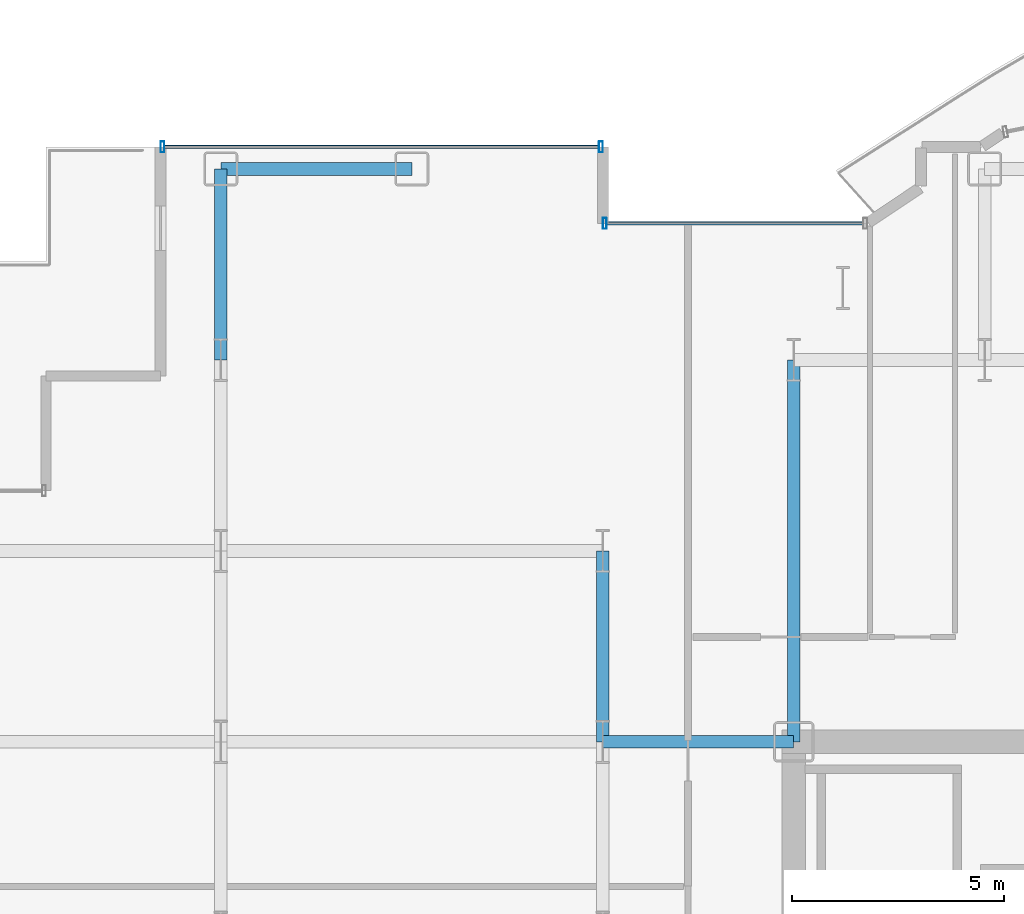
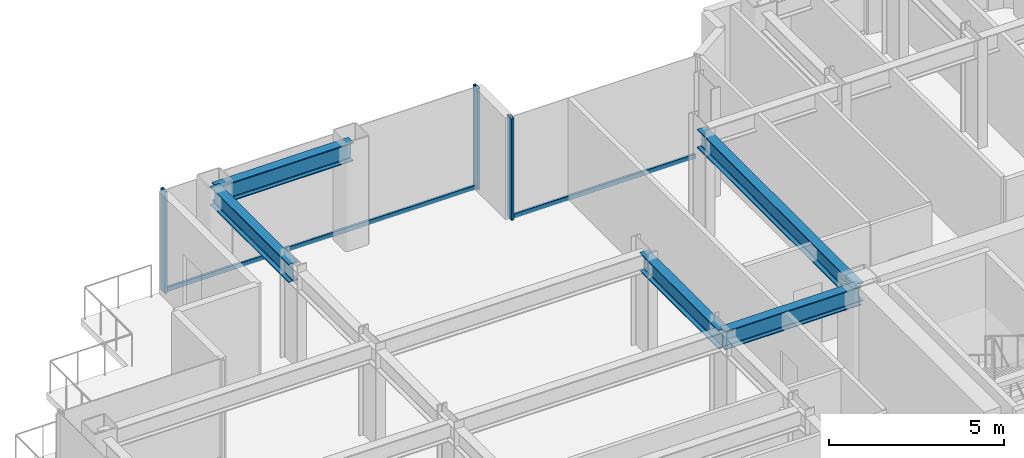
# One storey, part 12 of 29: 5 beams, 5 members, 2 elements without a shape of their own.
"""IFC4 building model written with IfcOpenShell, lengths in metres."""

from ifc_helpers import new_model, si_unit, direction, frame, origin, origin_2d, place, context, subcontext, project, spatial, hollow_rectangle, i_section, extrude, source, transform, mapped, material, layer, layer_set, material_profile, profile_set, type_object, element, aggregate, save


model = new_model("IFC4")

# Units and contexts
model_context = context("Model", 3, precision=1e-05, world=origin(), true_north=direction((0.0, 1.0)))
body_context = subcontext(model_context, "Body", "Model", "MODEL_VIEW")
ifc_project = project(units=[si_unit("LENGTHUNIT", "METRE"), si_unit("AREAUNIT", "SQUARE_METRE"), si_unit("VOLUMEUNIT", "CUBIC_METRE"), si_unit("PLANEANGLEUNIT", "RADIAN"), si_unit("MASSUNIT", "GRAM", prefix="KILO")], contexts=[model_context])

# Site, building, storey
site_placement = place(None, origin())
site = spatial("IfcSite", under=ifc_project, at=site_placement, CompositionType="ELEMENT")
building_placement = place(site_placement, origin())
building = spatial("IfcBuilding", under=site, at=building_placement, Name="Nefas-Gora Pilgrimage Tower", CompositionType="ELEMENT")
storey_placement = place(building_placement, frame((0.0, 0.0, 125.0)))
storey = spatial("IfcBuildingStorey", under=building, at=storey_placement, Name="L30", CompositionType="ELEMENT", Elevation=125.0)

# Beams
ifc_material_1 = material(Name="Steel S355", Category="steel")
ifc_material_profile_1 = material_profile(ifc_material_1, i_section(OverallWidth=0.300048828125, OverallDepth=0.64990234375, WebThickness=0.01611328125, FlangeThickness=0.031005859375, FilletRadius=0.027099609375, at=origin_2d()), Name="HEB 650")
ifc_profile_set_1 = profile_set([ifc_material_profile_1], Name="Steel S355")
beam_type_1 = type_object("IfcBeamType", Name="BM-SPN-HEB500", PredefinedType="SPANDREL", material=ifc_profile_set_1)
shared_shape_1 = source(origin(), body_context, "Body", "SweptSolid", [
    extrude(i_section(OverallWidth=0.300048828125, OverallDepth=0.64990234375, WebThickness=0.01611328125, FlangeThickness=0.031005859375, FilletRadius=0.027099609375, at=origin_2d()), origin(), (0.0, 0.0, 1.0), 4.5),
])
beam_1_placement = place(storey_placement, frame((-24.75, 22.5, 3.22509765625), z_axis=(1.0, 0.0, 0.0), x_axis=(0.0, 1.0, 0.0)))
element("IfcBeam", 1, at=beam_1_placement, inside=storey, type_object=beam_type_1, Name="L30 SP-02 beam", PredefinedType="SPANDREL", context=body_context, shape_type="MappedRepresentation", body=[
    mapped(shared_shape_1, transform((0.0, 0.0, 0.0), x_axis=(1.0, 0.0, 0.0), y_axis=(0.0, 1.0, 0.0), z_axis=(0.0, 0.0, 1.0), scale=1.0)),
])
ifc_material_profile_2 = material_profile(ifc_material_1, i_section(OverallWidth=0.300048828125, OverallDepth=0.64990234375, WebThickness=0.01611328125, FlangeThickness=0.031005859375, FilletRadius=0.027099609375, at=origin_2d()), Name="HEB 650")
ifc_profile_set_2 = profile_set([ifc_material_profile_2], Name="Steel S355")
beam_type_2 = type_object("IfcBeamType", Name="BM-GIR-HEB650", PredefinedType="BEAM", material=ifc_profile_set_2)
shared_shape_2 = source(origin(), body_context, "Body", "SweptSolid", [
    extrude(i_section(OverallWidth=0.300048828125, OverallDepth=0.64990234375, WebThickness=0.01611328125, FlangeThickness=0.031005859375, FilletRadius=0.027099609375, at=origin_2d()), origin(), (0.0, 0.0, 1.0), 9.0),
])
beam_2_placement = place(storey_placement, frame((-11.25, 9.0, 3.22509765625), z_axis=(0.0, 1.0, 0.0), x_axis=(-1.0, 0.0, 0.0)))
element("IfcBeam", 2, at=beam_2_placement, inside=storey, type_object=beam_type_2, Name="L30 G-03 beam", PredefinedType="BEAM", context=body_context, shape_type="MappedRepresentation", body=[
    mapped(shared_shape_2, transform((0.0, 0.0, 0.0), x_axis=(1.0, 0.0, 0.0), y_axis=(0.0, 1.0, 0.0), z_axis=(0.0, 0.0, 1.0), scale=1.0)),
])
shared_shape_3 = source(origin(), body_context, "Body", "SweptSolid", [
    extrude(i_section(OverallWidth=0.300048828125, OverallDepth=0.64990234375, WebThickness=0.01611328125, FlangeThickness=0.031005859375, FilletRadius=0.027099609375, at=origin_2d()), origin(), (0.0, 0.0, 1.0), 4.5),
])
for number, where, z_axis, x_axis, name in (
    (3, (-24.75, 18.0, 3.22509765625), (0.0, 1.0, 0.0), (-1.0, 0.0, 0.0), "L30 G-03 beam"),
    (4, (-15.75, 9.0, 3.22509765625), (0.0, 1.0, 0.0), (-1.0, 0.0, 0.0), "L30 G-03 beam"),
    (5, (-15.75, 9.0, 3.22509765625), (1.0, 0.0, 0.0), (0.0, 1.0, 0.0), "L30 G-03 beam"),
):
    element("IfcBeam", number, at=place(storey_placement, frame(where, z_axis=z_axis, x_axis=x_axis)), inside=storey, type_object=beam_type_2, Name=name, PredefinedType="BEAM", context=body_context, shape_type="MappedRepresentation", body=[
        mapped(shared_shape_3, transform((0.0, 0.0, 0.0), x_axis=(1.0, 0.0, 0.0), y_axis=(0.0, 1.0, 0.0), z_axis=(0.0, 0.0, 1.0), scale=1.0)),
    ])

# Curtain wall, members
ifc_material_2 = material(Name="Dark ceramic-fritted solar-control aluminium-glass curtain wall", Category="aluminium")
ifc_layer_1 = layer(ifc_material_2, 0.219970703125)
ifc_layer_set_1 = layer_set([ifc_layer_1], Name="Dark ceramic-fritted solar-control aluminium-glass curtain wall")
curtain_wall_type_1 = type_object("IfcCurtainWallType", Name="CW-SYS-5", PredefinedType="NOTDEFINED", material=ifc_layer_set_1)
curtain_wall_1_placement = place(storey_placement, origin())
curtain_wall_1 = element("IfcCurtainWall", 6, at=curtain_wall_1_placement, inside=storey, type_object=curtain_wall_type_1, Name="L30 Unitised Curtain Wall CW5", PredefinedType="NOTDEFINED")
ifc_material_3 = material(Name="Anodised architectural aluminium", Category="aluminium")
ifc_material_profile_3 = material_profile(ifc_material_3, hollow_rectangle(XDim=0.090087890625, YDim=0.260009765625, WallThickness=0.006103515625, InnerFilletRadius=0.006103515625, OuterFilletRadius=0.011962890625, at=origin_2d()), Name="ALU MULLION 90x260")
ifc_profile_set_3 = profile_set([ifc_material_profile_3], Name="Anodised architectural aluminium")
member_type_1 = type_object("IfcMemberType", Name="CWM-MUL-5", PredefinedType="MULLION", material=ifc_profile_set_3)
shared_shape_4 = source(origin(), body_context, "Body", "SweptSolid", [
    extrude(hollow_rectangle(XDim=0.090087890625, YDim=0.260009765625, WallThickness=0.006103515625, InnerFilletRadius=0.006103515625, OuterFilletRadius=0.011962890625, at=origin_2d()), origin(), (0.0, 0.0, 1.0), 3.550048828125),
])
member_1_placement = place(storey_placement, frame((-15.705078125, 21.219970703125, 0.0), z_axis=(0.0, 0.0, 1.0), x_axis=(-1.0, 0.0, 0.0)))
member_1 = element("IfcMember", 7, at=member_1_placement, type_object=member_type_1, Name="CW5 Mullion 2", PredefinedType="MULLION", context=body_context, shape_type="MappedRepresentation", body=[
    mapped(shared_shape_4, transform((0.0, 0.0, 0.0), x_axis=(1.0, 0.0, 0.0), y_axis=(0.0, 1.0, 0.0), z_axis=(0.0, 0.0, 1.0), scale=1.0)),
])
ifc_material_profile_4 = material_profile(ifc_material_3, hollow_rectangle(XDim=0.080078125, YDim=0.159912109375, WallThickness=0.00439453125, InnerFilletRadius=0.00439453125, OuterFilletRadius=0.009033203125, at=origin_2d()), Name="ALU TRANSOM 80x160")
ifc_profile_set_4 = profile_set([ifc_material_profile_4], Name="Anodised architectural aluminium")
member_type_2 = type_object("IfcMemberType", Name="CWM-TRN-5", PredefinedType="USERDEFINED", material=ifc_profile_set_4)
shared_shape_5 = source(origin(), body_context, "Body", "SweptSolid", [
    extrude(hollow_rectangle(XDim=0.080078125, YDim=0.159912109375, WallThickness=0.00439453125, InnerFilletRadius=0.00439453125, OuterFilletRadius=0.009033203125, at=origin_2d()), origin(), (0.0, 0.0, 1.0), 6.052001953125),
])
member_2_placement = place(storey_placement, frame((-9.60791015625, 21.219970703125, 0.050048828125), z_axis=(-1.0, 0.0, 0.0), x_axis=(0.0, -1.0, 0.0)))
member_2 = element("IfcMember", 8, at=member_2_placement, type_object=member_type_2, Name="CW5 Spandrel Transom", ObjectType="TRANSOM", PredefinedType="USERDEFINED", context=body_context, shape_type="MappedRepresentation", body=[
    mapped(shared_shape_5, transform((0.0, 0.0, 0.0), x_axis=(1.0, 0.0, 0.0), y_axis=(0.0, 1.0, 0.0), z_axis=(0.0, 0.0, 1.0), scale=1.0)),
])
aggregate(curtain_wall_1, [member_1, member_2])

ifc_layer_2 = layer(ifc_material_2, 0.219970703125)
ifc_layer_set_2 = layer_set([ifc_layer_2], Name="Dark ceramic-fritted solar-control aluminium-glass curtain wall")
curtain_wall_type_2 = type_object("IfcCurtainWallType", Name="CW-SYS-2", PredefinedType="NOTDEFINED", material=ifc_layer_set_2)
curtain_wall_2_placement = place(storey_placement, origin())
curtain_wall_2 = element("IfcCurtainWall", 9, at=curtain_wall_2_placement, inside=storey, type_object=curtain_wall_type_2, Name="L30 Unitised Curtain Wall CW2", PredefinedType="NOTDEFINED")
ifc_material_profile_5 = material_profile(ifc_material_3, hollow_rectangle(XDim=0.090087890625, YDim=0.260009765625, WallThickness=0.006103515625, InnerFilletRadius=0.006103515625, OuterFilletRadius=0.011962890625, at=origin_2d()), Name="ALU MULLION 90x260")
ifc_profile_set_5 = profile_set([ifc_material_profile_5], Name="Anodised architectural aluminium")
member_type_3 = type_object("IfcMemberType", Name="CWM-MUL-2", PredefinedType="MULLION", material=ifc_profile_set_5)
shared_shape_6 = source(origin(), body_context, "Body", "SweptSolid", [
    extrude(hollow_rectangle(XDim=0.090087890625, YDim=0.260009765625, WallThickness=0.006103515625, InnerFilletRadius=0.006103515625, OuterFilletRadius=0.011962890625, at=origin_2d()), origin(), (0.0, 0.0, 1.0), 3.550048828125),
])
member_3_placement = place(storey_placement, frame((-15.794921875, 23.02001953125, 0.0), z_axis=(0.0, 0.0, 1.0), x_axis=(-1.0, 0.0, 0.0)))
member_3 = element("IfcMember", 10, at=member_3_placement, type_object=member_type_3, Name="CW2 Mullion 1", PredefinedType="MULLION", context=body_context, shape_type="MappedRepresentation", body=[
    mapped(shared_shape_6, transform((0.0, 0.0, 0.0), x_axis=(1.0, 0.0, 0.0), y_axis=(0.0, 1.0, 0.0), z_axis=(0.0, 0.0, 1.0), scale=1.0)),
])
member_4_placement = place(storey_placement, frame((-26.125, 23.02001953125, 0.0), z_axis=(0.0, 0.0, 1.0), x_axis=(-1.0, 0.0, 0.0)))
member_4 = element("IfcMember", 11, at=member_4_placement, type_object=member_type_3, Name="CW2 Mullion 2", PredefinedType="MULLION", context=body_context, shape_type="MappedRepresentation", body=[
    mapped(shared_shape_6, transform((0.0, 0.0, 0.0), x_axis=(1.0, 0.0, 0.0), y_axis=(0.0, 1.0, 0.0), z_axis=(0.0, 0.0, 1.0), scale=1.0)),
])
ifc_material_profile_6 = material_profile(ifc_material_3, hollow_rectangle(XDim=0.080078125, YDim=0.159912109375, WallThickness=0.00439453125, InnerFilletRadius=0.00439453125, OuterFilletRadius=0.009033203125, at=origin_2d()), Name="ALU TRANSOM 80x160")
ifc_profile_set_6 = profile_set([ifc_material_profile_6], Name="Anodised architectural aluminium")
member_type_4 = type_object("IfcMemberType", Name="CWM-TRN-2", PredefinedType="USERDEFINED", material=ifc_profile_set_6)
shared_shape_7 = source(origin(), body_context, "Body", "SweptSolid", [
    extrude(hollow_rectangle(XDim=0.080078125, YDim=0.159912109375, WallThickness=0.00439453125, InnerFilletRadius=0.00439453125, OuterFilletRadius=0.009033203125, at=origin_2d()), origin(), (0.0, 0.0, 1.0), 10.239990234375),
])
member_5_placement = place(storey_placement, frame((-15.840087890625, 23.02001953125, 0.050048828125), z_axis=(-1.0, 0.0, 0.0), x_axis=(0.0, -1.0, 0.0)))
member_5 = element("IfcMember", 12, at=member_5_placement, type_object=member_type_4, Name="CW2 Spandrel Transom", ObjectType="TRANSOM", PredefinedType="USERDEFINED", context=body_context, shape_type="MappedRepresentation", body=[
    mapped(shared_shape_7, transform((0.0, 0.0, 0.0), x_axis=(1.0, 0.0, 0.0), y_axis=(0.0, 1.0, 0.0), z_axis=(0.0, 0.0, 1.0), scale=1.0)),
])
aggregate(curtain_wall_2, [member_3, member_4, member_5])

save(model, "model.ifc")
